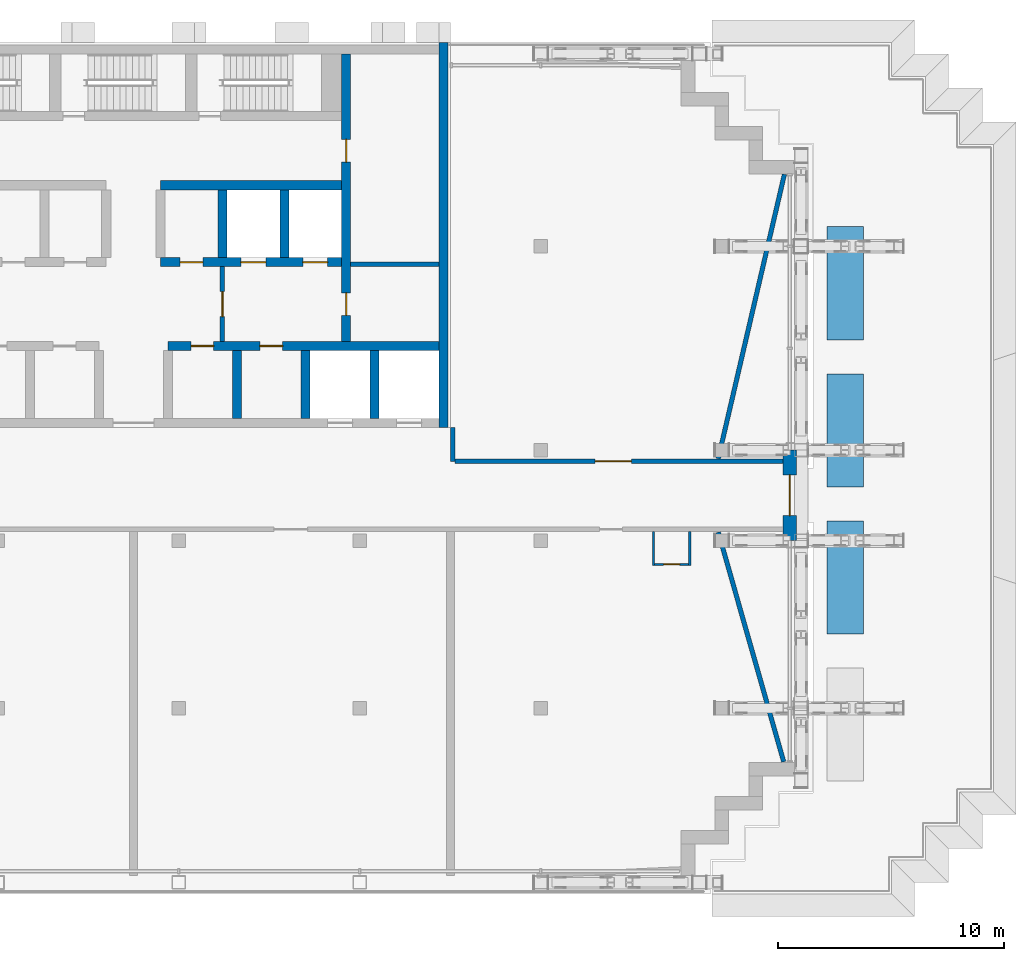
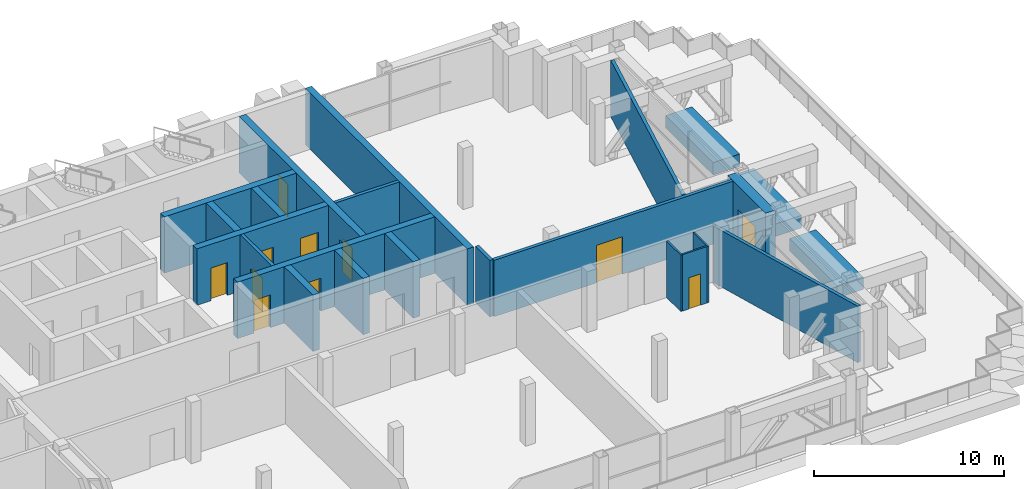
# One storey, part 8 of 21: 23 walls, 11 doors, 11 openings.
"""IFC4 building model written with IfcOpenShell, lengths in metres."""

import ifcopenshell
import ifcopenshell.guid

model = None  # the IFC model being written
_history = None  # IfcOwnerHistory: only IFC2X3 demands one
_inside = {}  # id of a spatial element -> (the spatial element, [elements in it])
_under = {}  # id of a project, library or spatial element -> (it, [spatial elements below it])
_declared = {}  # id of a project -> (the project, [libraries it declares])
_typed = {}  # id of a type object -> (the type object, [elements of that type])
_made_of = {}  # id of a material, layer set ... -> (it, [elements and type objects made of it])


def new_model(schema):
    """Start an empty IFC model of exactly this schema.

    Asked for "IFC4X3", IfcOpenShell would pick the latest addendum, in which some entities
    have other attributes; the version numbers below select the first issue.
    IFC2X3 requires an IfcOwnerHistory on every rooted entity: one is made here for all.
    """
    global model, _history
    if schema == "IFC4X3":
        model = ifcopenshell.file(schema_version=(4, 3, 0, 0))
    else:
        model = ifcopenshell.file(schema=schema)
    _inside.clear()
    _under.clear()
    _declared.clear()
    _typed.clear()
    _made_of.clear()
    _history = None
    if model.schema == "IFC2X3":
        org = make("IfcOrganization", Name="unknown")
        user = make(
            "IfcPersonAndOrganization",
            ThePerson=make("IfcPerson", FamilyName="unknown"),
            TheOrganization=org,
        )
        app = make(
            "IfcApplication",
            ApplicationDeveloper=org,
            Version="unknown",
            ApplicationFullName="unknown",
            ApplicationIdentifier="unknown",
        )
        _history = make(
            "IfcOwnerHistory",
            OwningUser=user,
            OwningApplication=app,
            ChangeAction="ADDED",
            CreationDate=0,
        )
    return model


def make(cls, **values):
    """One entity of the class cls with the attributes given. An attribute that is None is left unset."""
    return model.create_entity(
        cls, **{name: value for name, value in values.items() if value is not None}
    )


def rooted(cls, **values):
    """An entity with a GlobalId (a new one), such as an element, a storey or a relation."""
    return make(cls, GlobalId=ifcopenshell.guid.new(), OwnerHistory=_history, **values)


def si_unit(unit_type, name, prefix=None):
    """IfcSIUnit, for example si_unit("LENGTHUNIT", "METRE", prefix="MILLI")."""
    return make("IfcSIUnit", UnitType=unit_type, Prefix=prefix, Name=name)


def assignment(units):
    """IfcUnitAssignment: the units of a project."""
    return None if units is None else make("IfcUnitAssignment", Units=units)


def point(xyz):
    """IfcCartesianPoint."""
    return None if xyz is None else make("IfcCartesianPoint", Coordinates=xyz)


def direction(xyz):
    """IfcDirection."""
    return None if xyz is None else make("IfcDirection", DirectionRatios=xyz)


def frame(location, z_axis=None, x_axis=None):
    """IfcAxis2Placement3D, a coordinate frame: its origin and axes. An axis left out is left unset."""
    return make(
        "IfcAxis2Placement3D",
        Location=point(location),
        Axis=direction(z_axis),
        RefDirection=direction(x_axis),
    )


def frame_2d(location, x_axis=None):
    """IfcAxis2Placement2D, a coordinate frame in the plane: its origin and x axis."""
    return make(
        "IfcAxis2Placement2D", Location=point(location), RefDirection=direction(x_axis)
    )


def origin():
    """The frame at (0, 0, 0) with its axes left unset."""
    return frame((0.0, 0.0, 0.0))


def place(relative_to, where):
    """IfcLocalPlacement: puts the frame where relative to a parent placement (None: the world)."""
    return make(
        "IfcLocalPlacement", PlacementRelTo=relative_to, RelativePlacement=where
    )


def context(
    kind, dimensions, precision=None, world=None, true_north=None, identifier=None
):
    """IfcGeometricRepresentationContext, for example the 3D "Model" context."""
    return make(
        "IfcGeometricRepresentationContext",
        ContextIdentifier=identifier,
        ContextType=kind,
        CoordinateSpaceDimension=dimensions,
        Precision=precision,
        WorldCoordinateSystem=world,
        TrueNorth=true_north,
    )


def subcontext(parent, identifier, kind, view, scale=None):
    """IfcGeometricRepresentationSubContext, for example "Body" below "Model"."""
    return make(
        "IfcGeometricRepresentationSubContext",
        ContextIdentifier=identifier,
        ContextType=kind,
        ParentContext=parent,
        TargetScale=scale,
        TargetView=view,
    )


def project(units=None, contexts=None):
    """IfcProject with its units and contexts."""
    return rooted(
        "IfcProject",
        Name="project",
        RepresentationContexts=contexts,
        UnitsInContext=assignment(units),
    )


def spatial(cls, under=None, at=None, **own):
    """A site, building, storey or space (cls), placed at a placement, below another one or the project."""
    s = rooted(cls, ObjectPlacement=at, **own)
    if under is not None:
        _under.setdefault(under.id(), (under, []))[1].append(s)
    return s


def profile(cls, at=None, kind="AREA", **sizes):
    """A parametric profile (cls). Its sizes go by their IFC names, for example OverallWidth=200.0."""
    return make(cls, ProfileType=kind, Position=at, **sizes)


def rectangle(**sizes):
    """IfcRectangleProfileDef."""
    return profile("IfcRectangleProfileDef", **sizes)


def extrude(swept, where, along, depth):
    """IfcExtrudedAreaSolid: the profile swept, set in the frame where, extruded along a direction by depth."""
    return make(
        "IfcExtrudedAreaSolid",
        SweptArea=swept,
        Position=where,
        ExtrudedDirection=direction(along),
        Depth=depth,
    )


def shape(context_of_items, identifier, shape_type, items):
    """IfcShapeRepresentation: the items that make up one representation, for example the "Body"."""
    return make(
        "IfcShapeRepresentation",
        ContextOfItems=context_of_items,
        RepresentationIdentifier=identifier,
        RepresentationType=shape_type,
        Items=items,
    )


def material(Name=None, Category=None):
    """IfcMaterial."""
    return make("IfcMaterial", Name=Name, Category=Category)


def layer(
    of_material, thickness, ventilated=None, Name=None, Category=None, Priority=None
):
    """IfcMaterialLayer: one layer of a wall or slab, of a material (None: an air gap)."""
    return make(
        "IfcMaterialLayer",
        Material=of_material,
        LayerThickness=thickness,
        IsVentilated=ventilated,
        Name=Name,
        Category=Category,
        Priority=Priority,
    )


def layer_set(layers, Name=None):
    """IfcMaterialLayerSet."""
    return make("IfcMaterialLayerSet", MaterialLayers=layers, LayerSetName=Name)


def made_of(thing, what):
    """Note that an element or type object is made of a material, layer set ...; save() writes the relation."""
    if what is not None:
        _made_of.setdefault(what.id(), (what, []))[1].append(thing)
    return thing


def type_object(cls, material=None, **own):
    """A type object (cls), such as IfcWallType, which elements share."""
    return made_of(rooted(cls, **own), material)


def element(
    cls,
    number,
    at=None,
    inside=None,
    cuts=None,
    type_object=None,
    material=None,
    context=None,
    identifier="Body",
    shape_type=None,
    held_by="IfcProductDefinitionShape",
    body=None,
    shapes=None,
    **own,
):
    """One element of the class cls, such as IfcWall. Its Tag is "e" and its number.

    at: its placement. inside: the storey or other place that contains it. cuts: it is an
    opening in that element (IfcRelVoidsElement). A single representation is given by context,
    identifier, shape_type and body (its items); several are given by shapes. held_by: the class
    of the entity that holds the representations. save() writes the other relations.
    """
    e = rooted(cls, Tag="e%d" % number, ObjectPlacement=at, **own)
    if body is not None:
        shapes = [shape(context, identifier, shape_type, body)]
    if shapes is not None:
        e.Representation = make(held_by, Representations=shapes)
    if inside is not None:
        _inside.setdefault(inside.id(), (inside, []))[1].append(e)
    if cuts is not None:
        rooted(
            "IfcRelVoidsElement", RelatingBuildingElement=cuts, RelatedOpeningElement=e
        )
    if type_object is not None:
        _typed.setdefault(type_object.id(), (type_object, []))[1].append(e)
    return made_of(e, material)


def fill(opening, filler):
    """IfcRelFillsElement: the door or window that sits in an opening."""
    return rooted(
        "IfcRelFillsElement",
        RelatingOpeningElement=opening,
        RelatedBuildingElement=filler,
    )


def aggregate(whole, parts):
    """IfcRelAggregates: a whole, such as a stair, and the parts it consists of."""
    return rooted("IfcRelAggregates", RelatingObject=whole, RelatedObjects=parts)


def save(model, path):
    """Write the relations noted so far, then the file.

    IfcRelAggregates (storeys below a building ...), IfcRelContainedInSpatialStructure (elements
    in a storey), IfcRelDefinesByType, IfcRelAssociatesMaterial and IfcRelDeclares: one each for
    every whole, place, type object, material and project.
    """
    for whole, parts in _under.values():
        aggregate(whole, parts)
    for where, things in _inside.values():
        rooted(
            "IfcRelContainedInSpatialStructure",
            RelatedElements=things,
            RelatingStructure=where,
        )
    for kind, things in _typed.values():
        rooted("IfcRelDefinesByType", RelatedObjects=things, RelatingType=kind)
    for what, things in _made_of.values():
        rooted("IfcRelAssociatesMaterial", RelatedObjects=things, RelatingMaterial=what)
    for by, libraries in _declared.values():
        rooted("IfcRelDeclares", RelatingContext=by, RelatedDefinitions=libraries)
    model.write(path)


model = new_model("IFC4")

# Units and contexts
model_context = context("Model", 3, precision=1e-05, world=origin(), true_north=direction((0.0, 1.0)))
body_context = subcontext(model_context, "Body", "Model", "MODEL_VIEW")
ifc_project = project(units=[si_unit("LENGTHUNIT", "METRE"), si_unit("AREAUNIT", "SQUARE_METRE"), si_unit("VOLUMEUNIT", "CUBIC_METRE"), si_unit("PLANEANGLEUNIT", "RADIAN"), si_unit("MASSUNIT", "GRAM", prefix="KILO")], contexts=[model_context])

# Site, building, storey
site_placement = place(None, origin())
site = spatial("IfcSite", under=ifc_project, at=site_placement, CompositionType="ELEMENT")
building_placement = place(site_placement, origin())
building = spatial("IfcBuilding", under=site, at=building_placement, Name="Vidyagriha Tower", CompositionType="ELEMENT")
storey_placement = place(building_placement, frame((0.0, 0.0, 203.699951171875)))
storey = spatial("IfcBuildingStorey", under=building, at=storey_placement, Name="L52", CompositionType="ELEMENT", Elevation=203.699951171875)

# Walls
ifc_material_1 = material(Name="Precast concrete C40/50 with brick facing", Category="concrete")
ifc_layer_1 = layer(ifc_material_1, 1.60009765625)
ifc_layer_set_1 = layer_set([ifc_layer_1], Name="Precast concrete C40/50 with brick facing")
wall_type_1 = type_object("IfcWallType", Name="Brick planter box 1600", PredefinedType="STANDARD", material=ifc_layer_set_1)
for number, where, z_axis, x_axis, name in (
    (1, (31.449951171875, -6.128662109375, 0.0), (0.0, 0.0, 1.0), (0.0, 1.0, 0.0), "PLANTER L52 2"),
    (2, (31.449951171875, 0.371337890625, 0.0), (0.0, 0.0, 1.0), (0.0, 1.0, 0.0), "PLANTER L52 3"),
    (3, (31.449951171875, 6.871337890625, 0.0), (0.0, 0.0, 1.0), (0.0, 1.0, 0.0), "PLANTER L52 4"),
):
    element("IfcWall", number, at=place(storey_placement, frame(where, z_axis=z_axis, x_axis=x_axis)), inside=storey, type_object=wall_type_1, Name=name, PredefinedType="STANDARD", context=body_context, shape_type="SweptSolid", body=[
        extrude(rectangle(XDim=5.0, YDim=1.60009765625, at=frame_2d((2.5, 0.0))), origin(), (0.0, 0.0, 1.0), 0.800048828125),
    ])

# Wall, opening, door
ifc_material_2 = material(Name="Precast concrete C40/50 with brick facing", Category="concrete")
ifc_layer_2 = layer(ifc_material_2, 0.60009765625)
ifc_layer_set_2 = layer_set([ifc_layer_2], Name="Precast concrete C40/50 with brick facing")
wall_type_2 = type_object("IfcWallType", Name="Brick-faced precast wall 600", PredefinedType="STANDARD", material=ifc_layer_set_2)
wall_1_placement = place(storey_placement, frame((29.0, -2.0, 0.0), z_axis=(0.0, 0.0, 1.0), x_axis=(0.0, 1.0, 0.0)))
wall_1 = element("IfcWall", 4, at=wall_1_placement, inside=storey, type_object=wall_type_2, Name="Brick door bay wall L52 R30.3", PredefinedType="STANDARD", context=body_context, shape_type="SweptSolid", body=[
    extrude(rectangle(XDim=4.0, YDim=0.60009765625, at=frame_2d((2.0, 0.0))), origin(), (0.0, 0.0, 1.0), 3.6201171875),
])
opening_1_placement = place(wall_1_placement, frame((1.10009765625, 0.0, 0.0)))
opening_1 = element("IfcOpeningElement", 5, at=opening_1_placement, cuts=wall_1, Name="Opening D52-01", PredefinedType="OPENING", context=body_context, shape_type="SweptSolid", body=[
    extrude(rectangle(XDim=1.800048828125, YDim=2.10009765625, at=frame_2d((0.89990234375, 1.050048828125))), frame((0.0, 0.31005859375, 0.0), z_axis=(0.0, -1.0, 0.0), x_axis=(1.0, 0.0, 0.0)), (0.0, 0.0, 1.0), 0.6201171875),
])
ifc_material_3 = material(Name="Aluminium and glass door", Category="aluminium")
door_type_1 = type_object("IfcDoorType", Name="Entrance double leaf glazed door 1800x2100", OperationType="NOTDEFINED", PredefinedType="DOOR", material=ifc_material_3)
door_1_placement = place(opening_1_placement, frame((1.800048828125, 0.0, 0.0), z_axis=(0.0, 0.0, 1.0), x_axis=(-1.0, 0.0, 0.0)))
door_1 = element("IfcDoor", 6, at=door_1_placement, inside=storey, type_object=door_type_1, Name="Deck door D52-01", OperationType="DOUBLE_DOOR_SINGLE_SWING", OverallHeight=2.10009765625, OverallWidth=1.800048828125, PredefinedType="DOOR", context=body_context, shape_type="SweptSolid", body=[
    extrude(rectangle(XDim=1.800048828125, YDim=2.10009765625, at=frame_2d((0.89990234375, 1.050048828125))), frame((0.0, 0.02490234375, 0.0), z_axis=(0.0, -1.0, 0.0), x_axis=(1.0, 0.0, 0.0)), (0.0, 0.0, 1.0), 0.050048828125),
])
fill(opening_1, door_1)

# Wall
ifc_material_4 = material(Name="Concrete C60/75", Category="concrete")
ifc_layer_3 = layer(ifc_material_4, 0.39990234375)
ifc_layer_set_3 = layer_set([ifc_layer_3], Name="Concrete C60/75")
wall_type_3 = type_object("IfcWallType", Name="Core shear wall 400 mm", PredefinedType="SHEAR", material=ifc_layer_set_3)
wall_2_placement = place(storey_placement, frame((13.699951171875, 3.0, 0.0), z_axis=(0.0, 0.0, 1.0), x_axis=(0.0, 1.0, 0.0)))
element("IfcWall", 7, at=wall_2_placement, inside=storey, type_object=wall_type_3, Name="Core east wall", PredefinedType="SHEAR", context=body_context, shape_type="SweptSolid", body=[
    extrude(rectangle(XDim=17.0, YDim=0.39990234375, at=frame_2d((8.5, 0.0))), origin(), (0.0, 0.0, 1.0), 3.6201171875),
])

# Wall, openings, doors
wall_3_placement = place(storey_placement, frame((9.39990234375, 6.800048828125, 0.0), z_axis=(0.0, 0.0, 1.0), x_axis=(0.0, 1.0, 0.0)))
wall_3 = element("IfcWall", 8, at=wall_3_placement, inside=storey, type_object=wall_type_3, Name="Core east spine wall", PredefinedType="SHEAR", context=body_context, shape_type="SweptSolid", body=[
    extrude(rectangle(XDim=12.699951171875, YDim=0.39990234375, at=frame_2d((6.35009765625, 0.0))), origin(), (0.0, 0.0, 1.0), 3.6201171875),
])
opening_2_placement = place(wall_3_placement, frame((1.14990234375, 0.0, 0.0)))
opening_2 = element("IfcOpeningElement", 9, at=opening_2_placement, cuts=wall_3, Name="Opening D52-17", PredefinedType="OPENING", context=body_context, shape_type="SweptSolid", body=[
    extrude(rectangle(XDim=1.0, YDim=2.10009765625, at=frame_2d((0.5, 1.050048828125))), frame((0.0, 0.2099609375, 0.0), z_axis=(0.0, -1.0, 0.0), x_axis=(1.0, 0.0, 0.0)), (0.0, 0.0, 1.0), 0.419921875),
])
opening_3_placement = place(wall_3_placement, frame((7.925048828125, 0.0, 0.0)))
opening_3 = element("IfcOpeningElement", 10, at=opening_3_placement, cuts=wall_3, Name="Opening D52-18", PredefinedType="OPENING", context=body_context, shape_type="SweptSolid", body=[
    extrude(rectangle(XDim=1.0, YDim=2.10009765625, at=frame_2d((0.5, 1.050048828125))), frame((0.0, 0.2099609375, 0.0), z_axis=(0.0, -1.0, 0.0), x_axis=(1.0, 0.0, 0.0)), (0.0, 0.0, 1.0), 0.419921875),
])
ifc_material_5 = material(Name="Hollow metal door leaf")
door_type_2 = type_object("IfcDoorType", Name="Core room door 1000 x 2100 mm EI 60", OperationType="NOTDEFINED", PredefinedType="DOOR", material=ifc_material_5)
door_2_placement = place(opening_2_placement, origin())
door_2 = element("IfcDoor", 11, at=door_2_placement, inside=storey, type_object=door_type_2, Name="Door Cleaners Store 52.E1", OperationType="SINGLE_SWING_RIGHT", OverallHeight=2.10009765625, OverallWidth=1.0, PredefinedType="DOOR", context=body_context, shape_type="SweptSolid", body=[
    extrude(rectangle(XDim=1.0, YDim=2.10009765625, at=frame_2d((0.5, 1.050048828125))), frame((0.0, 0.02490234375, 0.0), z_axis=(0.0, -1.0, 0.0), x_axis=(1.0, 0.0, 0.0)), (0.0, 0.0, 1.0), 0.050048828125),
])
fill(opening_2, door_2)
door_3_placement = place(opening_3_placement, origin())
door_3 = element("IfcDoor", 12, at=door_3_placement, inside=storey, type_object=door_type_2, Name="Door Pressurisation Plant Room 52.E2", OperationType="SINGLE_SWING_LEFT", OverallHeight=2.10009765625, OverallWidth=1.0, PredefinedType="DOOR", context=body_context, shape_type="SweptSolid", body=[
    extrude(rectangle(XDim=1.0, YDim=2.10009765625, at=frame_2d((0.5, 1.050048828125))), frame((0.0, 0.02490234375, 0.0), z_axis=(0.0, -1.0, 0.0), x_axis=(1.0, 0.0, 0.0)), (0.0, 0.0, 1.0), 0.050048828125),
])
fill(opening_3, door_3)

wall_4_placement = place(storey_placement, frame((1.522216796875, 6.60009765625, 0.0)))
wall_4 = element("IfcWall", 13, at=wall_4_placement, inside=storey, type_object=wall_type_3, Name="Core lobby south wall east", PredefinedType="SHEAR", context=body_context, shape_type="SweptSolid", body=[
    extrude(rectangle(XDim=11.977783203125, YDim=0.39990234375, at=frame_2d((5.98876953125, 0.0))), origin(), (0.0, 0.0, 1.0), 3.6201171875),
])
opening_4_placement = place(wall_4_placement, frame((1.022216796875, 0.0, 0.0)))
opening_4 = element("IfcOpeningElement", 14, at=opening_4_placement, cuts=wall_4, Name="Opening D52-05", PredefinedType="OPENING", context=body_context, shape_type="SweptSolid", body=[
    extrude(rectangle(XDim=1.0, YDim=2.10009765625, at=frame_2d((0.5, 1.050048828125))), frame((0.0, 0.2099609375, 0.0), z_axis=(0.0, -1.0, 0.0), x_axis=(1.0, 0.0, 0.0)), (0.0, 0.0, 1.0), 0.419921875),
])
opening_5_placement = place(wall_4_placement, frame((4.066650390625, 0.0, 0.0)))
opening_5 = element("IfcOpeningElement", 15, at=opening_5_placement, cuts=wall_4, Name="Opening D52-06", PredefinedType="OPENING", context=body_context, shape_type="SweptSolid", body=[
    extrude(rectangle(XDim=1.0, YDim=2.10009765625, at=frame_2d((0.5, 1.050048828125))), frame((0.0, 0.2099609375, 0.0), z_axis=(0.0, -1.0, 0.0), x_axis=(1.0, 0.0, 0.0)), (0.0, 0.0, 1.0), 0.419921875),
])
door_4_placement = place(opening_4_placement, origin())
door_4 = element("IfcDoor", 16, at=door_4_placement, inside=storey, type_object=door_type_2, Name="Door Cleaners Store 52.03", OperationType="SINGLE_SWING_RIGHT", OverallHeight=2.10009765625, OverallWidth=1.0, PredefinedType="DOOR", context=body_context, shape_type="SweptSolid", body=[
    extrude(rectangle(XDim=1.0, YDim=2.10009765625, at=frame_2d((0.5, 1.050048828125))), frame((0.0, 0.02490234375, 0.0), z_axis=(0.0, -1.0, 0.0), x_axis=(1.0, 0.0, 0.0)), (0.0, 0.0, 1.0), 0.050048828125),
])
fill(opening_4, door_4)
door_5_placement = place(opening_5_placement, origin())
door_5 = element("IfcDoor", 17, at=door_5_placement, inside=storey, type_object=door_type_2, Name="Door Refuse Room 52.04", OperationType="SINGLE_SWING_RIGHT", OverallHeight=2.10009765625, OverallWidth=1.0, PredefinedType="DOOR", context=body_context, shape_type="SweptSolid", body=[
    extrude(rectangle(XDim=1.0, YDim=2.10009765625, at=frame_2d((0.5, 1.050048828125))), frame((0.0, 0.02490234375, 0.0), z_axis=(0.0, -1.0, 0.0), x_axis=(1.0, 0.0, 0.0)), (0.0, 0.0, 1.0), 0.050048828125),
])
fill(opening_5, door_5)

# Walls
for number, where, z_axis, x_axis, name in (
    (18, (4.566650390625, 3.39990234375, 0.0), (0.0, 0.0, 1.0), (0.0, 1.0, 0.0), "Core bay wall S6"),
    (19, (7.611083984375, 3.39990234375, 0.0), (0.0, 0.0, 1.0), (0.0, 1.0, 0.0), "Core bay wall S7"),
    (20, (10.655517578125, 3.39990234375, 0.0), (0.0, 0.0, 1.0), (0.0, 1.0, 0.0), "Core bay wall S8"),
):
    element("IfcWall", number, at=place(storey_placement, frame(where, z_axis=z_axis, x_axis=x_axis)), inside=storey, type_object=wall_type_3, Name=name, PredefinedType="SHEAR", context=body_context, shape_type="SweptSolid", body=[
        extrude(rectangle(XDim=3.0, YDim=0.39990234375, at=frame_2d((1.5, 0.0))), origin(), (0.0, 0.0, 1.0), 3.6201171875),
    ])

# Wall, openings, doors
wall_5_placement = place(storey_placement, frame((1.199951171875, 10.300048828125, 0.0)))
wall_5 = element("IfcWall", 21, at=wall_5_placement, inside=storey, type_object=wall_type_3, Name="Core row N front wall", PredefinedType="SHEAR", context=body_context, shape_type="SweptSolid", body=[
    extrude(rectangle(XDim=8.0, YDim=0.39990234375, at=frame_2d((4.0, 0.0))), origin(), (0.0, 0.0, 1.0), 3.6201171875),
])
opening_6_placement = place(wall_5_placement, frame((3.550048828125, 0.0, 0.0)))
opening_6 = element("IfcOpeningElement", 22, at=opening_6_placement, cuts=wall_5, Name="Opening LD52-04", PredefinedType="OPENING", context=body_context, shape_type="SweptSolid", body=[
    extrude(rectangle(XDim=1.10009765625, YDim=2.10009765625, at=frame_2d((0.550048828125, 1.050048828125))), frame((0.0, 0.2099609375, 0.0), z_axis=(0.0, -1.0, 0.0), x_axis=(1.0, 0.0, 0.0)), (0.0, 0.0, 1.0), 0.419921875),
])
opening_7_placement = place(wall_5_placement, frame((6.283203125, 0.0, 0.0)))
opening_7 = element("IfcOpeningElement", 23, at=opening_7_placement, cuts=wall_5, Name="Opening LD52-05", PredefinedType="OPENING", context=body_context, shape_type="SweptSolid", body=[
    extrude(rectangle(XDim=1.10009765625, YDim=2.10009765625, at=frame_2d((0.550048828125, 1.050048828125))), frame((0.0, 0.2099609375, 0.0), z_axis=(0.0, -1.0, 0.0), x_axis=(1.0, 0.0, 0.0)), (0.0, 0.0, 1.0), 0.419921875),
])
opening_8_placement = place(wall_5_placement, frame((0.86669921875, 0.0, 0.0)))
opening_8 = element("IfcOpeningElement", 24, at=opening_8_placement, cuts=wall_5, Name="Opening D52-09", PredefinedType="OPENING", context=body_context, shape_type="SweptSolid", body=[
    extrude(rectangle(XDim=1.0, YDim=2.10009765625, at=frame_2d((0.5, 1.050048828125))), frame((0.0, 0.2099609375, 0.0), z_axis=(0.0, -1.0, 0.0), x_axis=(1.0, 0.0, 0.0)), (0.0, 0.0, 1.0), 0.419921875),
])
door_6_placement = place(opening_8_placement, frame((1.0, 0.0, 0.0), z_axis=(0.0, 0.0, 1.0), x_axis=(-1.0, 0.0, 0.0)))
door_6 = element("IfcDoor", 25, at=door_6_placement, inside=storey, type_object=door_type_2, Name="Door Communications Room 52.16", OperationType="SINGLE_SWING_LEFT", OverallHeight=2.10009765625, OverallWidth=1.0, PredefinedType="DOOR", context=body_context, shape_type="SweptSolid", body=[
    extrude(rectangle(XDim=1.0, YDim=2.10009765625, at=frame_2d((0.5, 1.050048828125))), frame((0.0, 0.02490234375, 0.0), z_axis=(0.0, -1.0, 0.0), x_axis=(1.0, 0.0, 0.0)), (0.0, 0.0, 1.0), 0.050048828125),
])
fill(opening_8, door_6)
ifc_material_6 = material(Name="Stainless steel sliding door panel", Category="steel")
door_type_3 = type_object("IfcDoorType", Name="Lift landing door 1100 x 2100 mm EI 90", OperationType="NOTDEFINED", PredefinedType="DOOR", material=ifc_material_6)
door_7_placement = place(opening_6_placement, origin())
door_7 = element("IfcDoor", 26, at=door_7_placement, inside=storey, type_object=door_type_3, Name="Landing door FF1 L52", OperationType="SLIDING_TO_LEFT", OverallHeight=2.10009765625, OverallWidth=1.10009765625, PredefinedType="DOOR", context=body_context, shape_type="SweptSolid", body=[
    extrude(rectangle(XDim=1.10009765625, YDim=2.10009765625, at=frame_2d((0.550048828125, 1.050048828125))), frame((0.0, 0.02490234375, 0.0), z_axis=(0.0, -1.0, 0.0), x_axis=(1.0, 0.0, 0.0)), (0.0, 0.0, 1.0), 0.050048828125),
])
fill(opening_6, door_7)
door_8_placement = place(opening_7_placement, origin())
door_8 = element("IfcDoor", 27, at=door_8_placement, inside=storey, type_object=door_type_3, Name="Landing door FF2 L52", OperationType="SLIDING_TO_LEFT", OverallHeight=2.10009765625, OverallWidth=1.10009765625, PredefinedType="DOOR", context=body_context, shape_type="SweptSolid", body=[
    extrude(rectangle(XDim=1.10009765625, YDim=2.10009765625, at=frame_2d((0.550048828125, 1.050048828125))), frame((0.0, 0.02490234375, 0.0), z_axis=(0.0, -1.0, 0.0), x_axis=(1.0, 0.0, 0.0)), (0.0, 0.0, 1.0), 0.050048828125),
])
fill(opening_7, door_8)

# Walls
wall_6_placement = place(storey_placement, frame((1.199951171875, 13.699951171875, 0.0)))
element("IfcWall", 28, at=wall_6_placement, inside=storey, type_object=wall_type_3, Name="Core row N rear wall", PredefinedType="SHEAR", context=body_context, shape_type="SweptSolid", body=[
    extrude(rectangle(XDim=8.0, YDim=0.39990234375, at=frame_2d((4.0, 0.0))), origin(), (0.0, 0.0, 1.0), 3.6201171875),
])
for number, where, z_axis, x_axis, name in (
    (29, (3.933349609375, 10.5, 0.0), (0.0, 0.0, 1.0), (0.0, 1.0, 0.0), "Core bay wall N5"),
    (30, (6.666748046875, 10.5, 0.0), (0.0, 0.0, 1.0), (0.0, 1.0, 0.0), "Core bay wall N6"),
):
    element("IfcWall", number, at=place(storey_placement, frame(where, z_axis=z_axis, x_axis=x_axis)), inside=storey, type_object=wall_type_3, Name=name, PredefinedType="SHEAR", context=body_context, shape_type="SweptSolid", body=[
        extrude(rectangle(XDim=3.0, YDim=0.39990234375, at=frame_2d((1.5, 0.0))), origin(), (0.0, 0.0, 1.0), 3.6201171875),
    ])

# Wall, opening, door
ifc_material_7 = material(Name="Blockwork 15 MPa", Category="masonry")
ifc_layer_4 = layer(ifc_material_7, 0.199951171875)
ifc_layer_set_4 = layer_set([ifc_layer_4], Name="Blockwork 15 MPa")
wall_type_4 = type_object("IfcWallType", Name="Service room partition 200 mm", PredefinedType="PARTITIONING", material=ifc_layer_set_4)
wall_7_placement = place(storey_placement, frame((3.933349609375, 6.800048828125, 0.0), z_axis=(0.0, 0.0, 1.0), x_axis=(0.0, 1.0, 0.0)))
wall_7 = element("IfcWall", 31, at=wall_7_placement, inside=storey, type_object=wall_type_4, Name="Fire-fighting lobby west wall", PredefinedType="PARTITIONING", context=body_context, shape_type="SweptSolid", body=[
    extrude(rectangle(XDim=3.300048828125, YDim=0.199951171875, at=frame_2d((1.64990234375, 0.0))), origin(), (0.0, 0.0, 1.0), 3.6201171875),
])
opening_9_placement = place(wall_7_placement, frame((1.10009765625, 0.0, 0.0)))
opening_9 = element("IfcOpeningElement", 32, at=opening_9_placement, cuts=wall_7, Name="Opening D52-10", PredefinedType="OPENING", context=body_context, shape_type="SweptSolid", body=[
    extrude(rectangle(XDim=1.10009765625, YDim=2.10009765625, at=frame_2d((0.550048828125, 1.050048828125))), frame((0.0, 0.10986328125, 0.0), z_axis=(0.0, -1.0, 0.0), x_axis=(1.0, 0.0, 0.0)), (0.0, 0.0, 1.0), 0.219970703125),
])
ifc_material_8 = material(Name="Hollow metal door leaf")
door_type_4 = type_object("IfcDoorType", Name="Fire-fighting lobby door 1100 x 2100 mm EI 90", OperationType="NOTDEFINED", PredefinedType="DOOR", material=ifc_material_8)
door_9_placement = place(opening_9_placement, origin())
door_9 = element("IfcDoor", 33, at=door_9_placement, inside=storey, type_object=door_type_4, Name="Fire-fighting lobby door L52", OperationType="SINGLE_SWING_RIGHT", OverallHeight=2.10009765625, OverallWidth=1.10009765625, PredefinedType="DOOR", context=body_context, shape_type="SweptSolid", body=[
    extrude(rectangle(XDim=1.10009765625, YDim=2.10009765625, at=frame_2d((0.550048828125, 1.050048828125))), frame((0.0, 0.02490234375, 0.0), z_axis=(0.0, -1.0, 0.0), x_axis=(1.0, 0.0, 0.0)), (0.0, 0.0, 1.0), 0.050048828125),
])
fill(opening_9, door_9)

# Wall
wall_8_placement = place(storey_placement, frame((9.60009765625, 10.199951171875, 0.0)))
element("IfcWall", 34, at=wall_8_placement, inside=storey, type_object=wall_type_4, Name="Core room partition E1", PredefinedType="PARTITIONING", context=body_context, shape_type="SweptSolid", body=[
    extrude(rectangle(XDim=3.89990234375, YDim=0.199951171875, at=frame_2d((1.949951171875, 0.0))), origin(), (0.0, 0.0, 1.0), 3.6201171875),
])

# Wall, opening, door
wall_9_placement = place(storey_placement, frame((14.199951171875, 1.5, 0.0)))
wall_9 = element("IfcWall", 35, at=wall_9_placement, inside=storey, type_object=wall_type_4, Name="Plant corridor north wall east", PredefinedType="PARTITIONING", context=body_context, shape_type="SweptSolid", body=[
    extrude(rectangle(XDim=14.5, YDim=0.199951171875, at=frame_2d((7.25, 0.0))), origin(), (0.0, 0.0, 1.0), 3.6201171875),
])
opening_10_placement = place(wall_9_placement, frame((6.199951171875, 0.0, 0.0)))
opening_10 = element("IfcOpeningElement", 36, at=opening_10_placement, cuts=wall_9, Name="Opening D52-25", PredefinedType="OPENING", context=body_context, shape_type="SweptSolid", body=[
    extrude(rectangle(XDim=1.60009765625, YDim=2.39990234375, at=frame_2d((0.800048828125, 1.199951171875))), frame((0.0, 0.10986328125, 0.0), z_axis=(0.0, -1.0, 0.0), x_axis=(1.0, 0.0, 0.0)), (0.0, 0.0, 1.0), 0.219970703125),
])
ifc_material_9 = material(Name="Hollow metal door leaf")
door_type_5 = type_object("IfcDoorType", Name="Plant room double door 1600 x 2400 mm EI 90", OperationType="NOTDEFINED", PredefinedType="DOOR", material=ifc_material_9)
door_10_placement = place(opening_10_placement, frame((1.60009765625, 0.0, 0.0), z_axis=(0.0, 0.0, 1.0), x_axis=(-1.0, 0.0, 0.0)))
door_10 = element("IfcDoor", 37, at=door_10_placement, inside=storey, type_object=door_type_5, Name="Door Smoke Extract Plant Room 52.E1", OperationType="DOUBLE_DOOR_SINGLE_SWING", OverallHeight=2.39990234375, OverallWidth=1.60009765625, PredefinedType="DOOR", context=body_context, shape_type="SweptSolid", body=[
    extrude(rectangle(XDim=1.60009765625, YDim=2.39990234375, at=frame_2d((0.800048828125, 1.199951171875))), frame((0.0, 0.02490234375, 0.0), z_axis=(0.0, -1.0, 0.0), x_axis=(1.0, 0.0, 0.0)), (0.0, 0.0, 1.0), 0.050048828125),
])
fill(opening_10, door_10)

# Walls
wall_10_placement = place(storey_placement, frame((14.10009765625, 1.5, 0.0), z_axis=(0.0, 0.0, 1.0), x_axis=(0.0, 1.0, 0.0)))
element("IfcWall", 38, at=wall_10_placement, inside=storey, type_object=wall_type_4, Name="Lift hall east return wall", PredefinedType="PARTITIONING", context=body_context, shape_type="SweptSolid", body=[
    extrude(rectangle(XDim=1.5, YDim=0.199951171875, at=frame_2d((0.75, 0.0))), origin(), (0.0, 0.0, 1.0), 3.6201171875),
])
wall_11_placement = place(storey_placement, frame((25.838134765625, -1.62890625, 0.0), z_axis=(0.0, 0.0, 1.0), x_axis=(0.274140148354, -0.961689751978, 0.0)))
element("IfcWall", 39, at=wall_11_placement, inside=storey, type_object=wall_type_4, Name="Plant room wall", PredefinedType="PARTITIONING", context=body_context, shape_type="SweptSolid", body=[
    extrude(rectangle(XDim=10.546142578125, YDim=0.199951171875, at=frame_2d((5.27294921875, 0.0))), origin(), (0.0, 0.0, 1.0), 3.6201171875),
])
wall_12_placement = place(storey_placement, frame((25.83447265625, 1.619384765625, 0.0), z_axis=(0.0, 0.0, 1.0), x_axis=(0.226758161526, 0.973951095375, 0.0)))
element("IfcWall", 40, at=wall_12_placement, inside=storey, type_object=wall_type_4, Name="Plant room wall", PredefinedType="PARTITIONING", context=body_context, shape_type="SweptSolid", body=[
    extrude(rectangle(XDim=12.900390625, YDim=0.199951171875, at=frame_2d((6.4501953125, 0.0))), origin(), (0.0, 0.0, 1.0), 3.6201171875),
])
ifc_material_10 = material(Name="Gypsum shaft liner")
ifc_layer_5 = layer(ifc_material_10, 0.10009765625)
ifc_layer_set_5 = layer_set([ifc_layer_5], Name="Gypsum shaft liner")
wall_type_5 = type_object("IfcWallType", Name="Shaft liner wall 100 mm", PredefinedType="PARTITIONING", material=ifc_layer_set_5)
for number, where, z_axis, x_axis, name in (
    (41, (22.97509765625, -1.60009765625, 0.0), (0.0, 0.0, 1.0), (0.0, -1.0, 0.0), "Riser liner wall"),
    (42, (24.574951171875, -1.60009765625, 0.0), (0.0, 0.0, 1.0), (0.0, -1.0, 0.0), "Riser liner wall"),
):
    element("IfcWall", number, at=place(storey_placement, frame(where, z_axis=z_axis, x_axis=x_axis)), inside=storey, type_object=wall_type_5, Name=name, PredefinedType="PARTITIONING", context=body_context, shape_type="SweptSolid", body=[
        extrude(rectangle(XDim=1.5, YDim=0.10009765625, at=frame_2d((0.75, 0.0))), origin(), (0.0, 0.0, 1.0), 3.6201171875),
    ])

# Wall, opening, door
wall_13_placement = place(storey_placement, frame((23.02490234375, -3.050048828125, 0.0)))
wall_13 = element("IfcWall", 43, at=wall_13_placement, inside=storey, type_object=wall_type_5, Name="Riser liner wall", PredefinedType="PARTITIONING", context=body_context, shape_type="SweptSolid", body=[
    extrude(rectangle(XDim=1.5, YDim=0.10009765625, at=frame_2d((0.75, 0.0))), origin(), (0.0, 0.0, 1.0), 3.6201171875),
])
opening_11_placement = place(wall_13_placement, frame((0.39990234375, 0.0, 0.0)))
opening_11 = element("IfcOpeningElement", 44, at=opening_11_placement, cuts=wall_13, Name="Opening D52-22", PredefinedType="OPENING", context=body_context, shape_type="SweptSolid", body=[
    extrude(rectangle(XDim=0.699951171875, YDim=2.0, at=frame_2d((0.35009765625, 1.0))), frame((0.0, 0.06005859375, 0.0), z_axis=(0.0, -1.0, 0.0), x_axis=(1.0, 0.0, 0.0)), (0.0, 0.0, 1.0), 0.1201171875),
])
ifc_material_11 = material(Name="Hollow metal door leaf")
door_type_6 = type_object("IfcDoorType", Name="Riser access door 700 x 2000 mm EI 60", OperationType="NOTDEFINED", PredefinedType="DOOR", material=ifc_material_11)
door_11_placement = place(opening_11_placement, frame((0.699951171875, 0.0, 0.0), z_axis=(0.0, 0.0, 1.0), x_axis=(-1.0, 0.0, 0.0)))
door_11 = element("IfcDoor", 45, at=door_11_placement, inside=storey, type_object=door_type_6, Name="Door riser duct 52.03", OperationType="SINGLE_SWING_LEFT", OverallHeight=2.0, OverallWidth=0.699951171875, PredefinedType="DOOR", context=body_context, shape_type="SweptSolid", body=[
    extrude(rectangle(XDim=0.699951171875, YDim=2.0, at=frame_2d((0.35009765625, 1.0))), frame((0.0, 0.02490234375, 0.0), z_axis=(0.0, -1.0, 0.0), x_axis=(1.0, 0.0, 0.0)), (0.0, 0.0, 1.0), 0.050048828125),
])
fill(opening_11, door_11)

save(model, "model.ifc")
